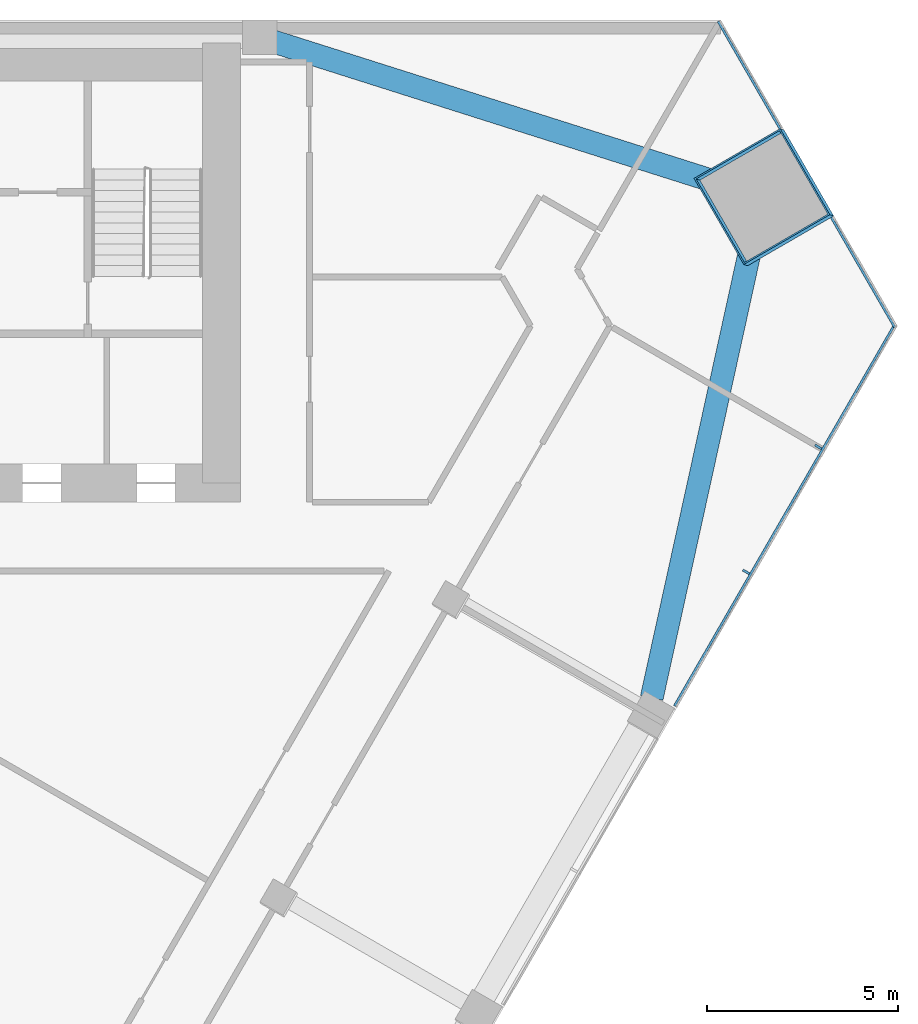
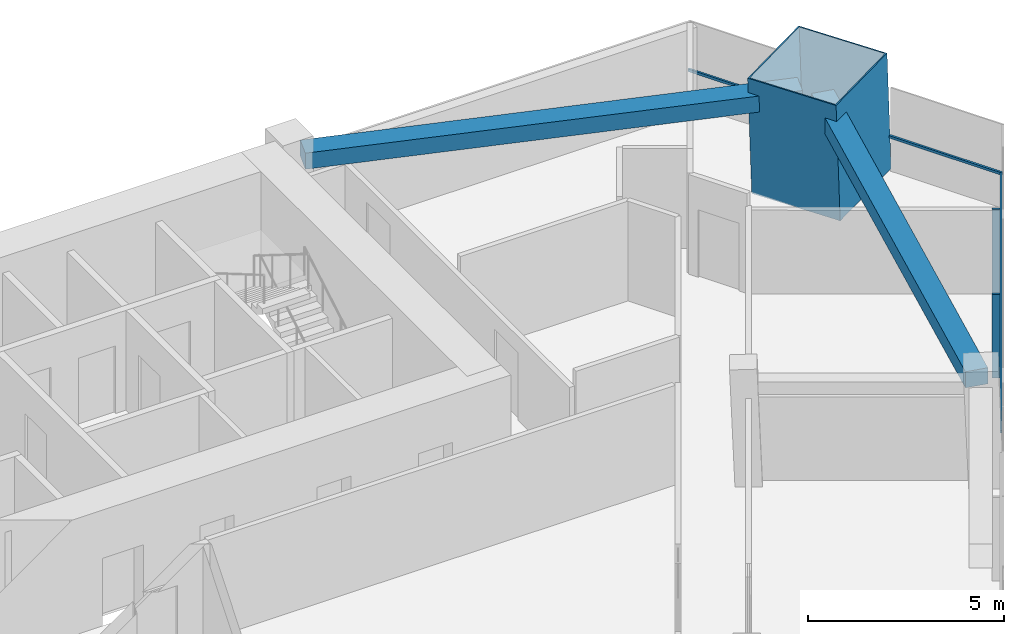
# One storey, part 7 of 14: 6 members, 2 beams, 2 elements without a shape of their own.
"""IFC4 building model written with IfcOpenShell, lengths in metres."""

from ifc_helpers import new_model, si_unit, direction, frame, origin, origin_2d, place, context, subcontext, project, spatial, rectangle, hollow_rectangle, extrude, material, layer, layer_set, material_profile, profile_set, type_object, element, aggregate, save


model = new_model("IFC4")

# Units and contexts
model_context = context("Model", 3, precision=1e-05, world=origin(), true_north=direction((0.0, 1.0)))
body_context = subcontext(model_context, "Body", "Model", "MODEL_VIEW")
ifc_project = project(units=[si_unit("LENGTHUNIT", "METRE"), si_unit("AREAUNIT", "SQUARE_METRE"), si_unit("VOLUMEUNIT", "CUBIC_METRE"), si_unit("PLANEANGLEUNIT", "RADIAN"), si_unit("MASSUNIT", "GRAM", prefix="KILO")], contexts=[model_context])

# Site, building, storey
site_placement = place(None, origin())
site = spatial("IfcSite", under=ifc_project, at=site_placement, CompositionType="ELEMENT")
building_placement = place(site_placement, origin())
building = spatial("IfcBuilding", under=site, at=building_placement, Name="Altiplano Prism Tower", CompositionType="ELEMENT")
storey_placement = place(building_placement, frame((0.0, 0.0, 63.0)))
storey = spatial("IfcBuildingStorey", under=building, at=storey_placement, Name="L15", CompositionType="ELEMENT", Elevation=63.0)

# Curtain wall, members
ifc_material_1 = material(Name="Aluminium and glass", Category="aluminium")
ifc_layer = layer(ifc_material_1, 0.303955078125)
ifc_layer_set = layer_set([ifc_layer], Name="Aluminium and glass")
curtain_wall_type = type_object("IfcCurtainWallType", Name="CW2 lounge-band unitised glazing", PredefinedType="NOTDEFINED", material=ifc_layer_set)
curtain_wall_1_placement = place(storey_placement, origin())
curtain_wall_1 = element("IfcCurtainWall", 1, at=curtain_wall_1_placement, inside=storey, type_object=curtain_wall_type, Name="CW2 curtain wall south-east face L15", PredefinedType="NOTDEFINED")
ifc_material_2 = material(Name="Aluminium", Category="aluminium")
ifc_material_profile_1 = material_profile(ifc_material_2, rectangle(XDim=0.199951171875, YDim=0.06005859375, at=origin_2d()), Name="CW2 mullion 60 x 200")
ifc_profile_set_1 = profile_set([ifc_material_profile_1], Name="Aluminium")
member_type_1 = type_object("IfcMemberType", Name="CW2 mullion 60 x 200", PredefinedType="MULLION", material=ifc_profile_set_1)
member_1_placement = place(storey_placement, frame((111.2099609375, 90.575927734375, 0.0), z_axis=(0.0, 0.0, 1.0), x_axis=(-0.866025409928, 0.499999989359, 0.0)))
member_1 = element("IfcMember", 2, at=member_1_placement, type_object=member_type_1, Name="CW2 mullion", PredefinedType="MULLION", context=body_context, shape_type="SweptSolid", body=[
    extrude(rectangle(XDim=0.199951171875, YDim=0.06005859375, at=origin_2d()), origin(), (0.0, 0.0, 1.0), 2.60009765625),
])
member_2_placement = place(storey_placement, frame((113.095703125, 93.842041015625, 0.0), z_axis=(0.0, 0.0, 1.0), x_axis=(-0.866025409928, 0.499999989359, 0.0)))
member_2 = element("IfcMember", 3, at=member_2_placement, type_object=member_type_1, Name="CW2 mullion", PredefinedType="MULLION", context=body_context, shape_type="SweptSolid", body=[
    extrude(rectangle(XDim=0.199951171875, YDim=0.06005859375, at=origin_2d()), origin(), (0.0, 0.0, 1.0), 2.60009765625),
])
ifc_material_profile_2 = material_profile(ifc_material_2, rectangle(XDim=0.06005859375, YDim=0.080078125, at=origin_2d()), Name="CW2 transom 80 x 60")
ifc_profile_set_2 = profile_set([ifc_material_profile_2], Name="Aluminium")
member_type_2 = type_object("IfcMemberType", Name="CW2 transom 80 x 60", PredefinedType="USERDEFINED", material=ifc_profile_set_2)
member_3_placement = place(storey_placement, frame((109.33740234375, 87.072265625, 1.10009765625), z_axis=(0.499991056625, 0.866030567183, 0.0), x_axis=(-0.866030567183, 0.499991056625, 0.0)))
member_3 = element("IfcMember", 4, at=member_3_placement, type_object=member_type_2, Name="CW2 transom", ObjectType="TRANSOM", PredefinedType="USERDEFINED", context=body_context, shape_type="SweptSolid", body=[
    extrude(rectangle(XDim=0.06005859375, YDim=0.080078125, at=origin_2d()), origin(), (0.0, 0.0, 1.0), 11.513427734375),
])
aggregate(curtain_wall_1, [member_1, member_2, member_3])

curtain_wall_2_placement = place(storey_placement, origin())
curtain_wall_2 = element("IfcCurtainWall", 5, at=curtain_wall_2_placement, inside=storey, type_object=curtain_wall_type, Name="CW2 curtain wall north-east chamfer L15", PredefinedType="NOTDEFINED")
member_4_placement = place(storey_placement, frame((115.093994140625, 96.96923828125, 1.10009765625), z_axis=(-0.499964696859, 0.866045785103, 0.0), x_axis=(-0.866045785103, -0.499964696859, 0.0)))
member_4 = element("IfcMember", 6, at=member_4_placement, type_object=member_type_2, Name="CW2 transom", ObjectType="TRANSOM", PredefinedType="USERDEFINED", context=body_context, shape_type="SweptSolid", body=[
    extrude(rectangle(XDim=0.06005859375, YDim=0.080078125, at=origin_2d()), origin(), (0.0, 0.0, 1.0), 3.315185546875),
])
member_5_placement = place(storey_placement, frame((112.096435546875, 102.1611328125, 1.10009765625), z_axis=(-0.499961982265, 0.866047352222, 0.0), x_axis=(-0.866047352222, -0.499961982265, 0.0)))
member_5 = element("IfcMember", 7, at=member_5_placement, type_object=member_type_2, Name="CW2 transom", ObjectType="TRANSOM", PredefinedType="USERDEFINED", context=body_context, shape_type="SweptSolid", body=[
    extrude(rectangle(XDim=0.06005859375, YDim=0.080078125, at=origin_2d()), origin(), (0.0, 0.0, 1.0), 3.235107421875),
])
aggregate(curtain_wall_2, [member_4, member_5])

# Beams
ifc_material_3 = material(Name="Concrete C60/75", Category="concrete")
ifc_material_profile_3 = material_profile(ifc_material_3, rectangle(XDim=0.60009765625, YDim=0.5, at=origin_2d()), Name="Edge beam 600x500")
ifc_profile_set_3 = profile_set([ifc_material_profile_3], Name="Concrete C60/75")
beam_type = type_object("IfcBeamType", Name="Edge beam 600x500", PredefinedType="SPANDREL", material=ifc_profile_set_3)
for number, where, z_axis, x_axis, name in (
    (8, (108.742431640625, 87.2841796875, 2.85009765625), (0.214686837095, 0.976682938306, 0.0), (-0.976682938306, 0.214686837095, 0.0), "Edge beam P24-M2 L16"),
    (9, (111.193603515625, 100.5224609375, 2.85009765625), (-0.953168822774, 0.302438746347, 0.0), (-0.302438746347, -0.953168822774, 0.0), "Edge beam M2-P01 L16"),
):
    element("IfcBeam", number, at=place(storey_placement, frame(where, z_axis=z_axis, x_axis=x_axis)), inside=storey, type_object=beam_type, Name=name, PredefinedType="SPANDREL", context=body_context, shape_type="SweptSolid", body=[
        extrude(rectangle(XDim=0.60009765625, YDim=0.5, at=origin_2d()), origin(), (0.0, 0.0, 1.0), 12.965087890625),
    ])

# Member
ifc_material_4 = material(Name="Steel S460", Category="steel")
ifc_material_profile_4 = material_profile(ifc_material_4, hollow_rectangle(XDim=2.60009765625, YDim=2.60009765625, WallThickness=0.0400390625, at=origin_2d()), Name="Mega column tube 2600")
ifc_profile_set_4 = profile_set([ifc_material_profile_4], Name="Steel S460")
member_type_3 = type_object("IfcMemberType", Name="Mega column tube 2600", PredefinedType="POST", material=ifc_profile_set_4)
member_6_placement = place(storey_placement, frame((111.724609375, 100.353271484375, 0.0), z_axis=(-0.028334084323, 0.009218745139, 0.999555998633), x_axis=(0.500153385455, -0.865653198761, 0.022161464136)))
element("IfcMember", 10, at=member_6_placement, inside=storey, type_object=member_type_3, Name="Mega column tube M2 L15", PredefinedType="POST", context=body_context, shape_type="SweptSolid", body=[
    extrude(hollow_rectangle(XDim=2.60009765625, YDim=2.60009765625, WallThickness=0.0400390625, at=origin_2d()), origin(), (0.0, 0.0, 1.0), 3.601806640625),
])

save(model, "model.ifc")
